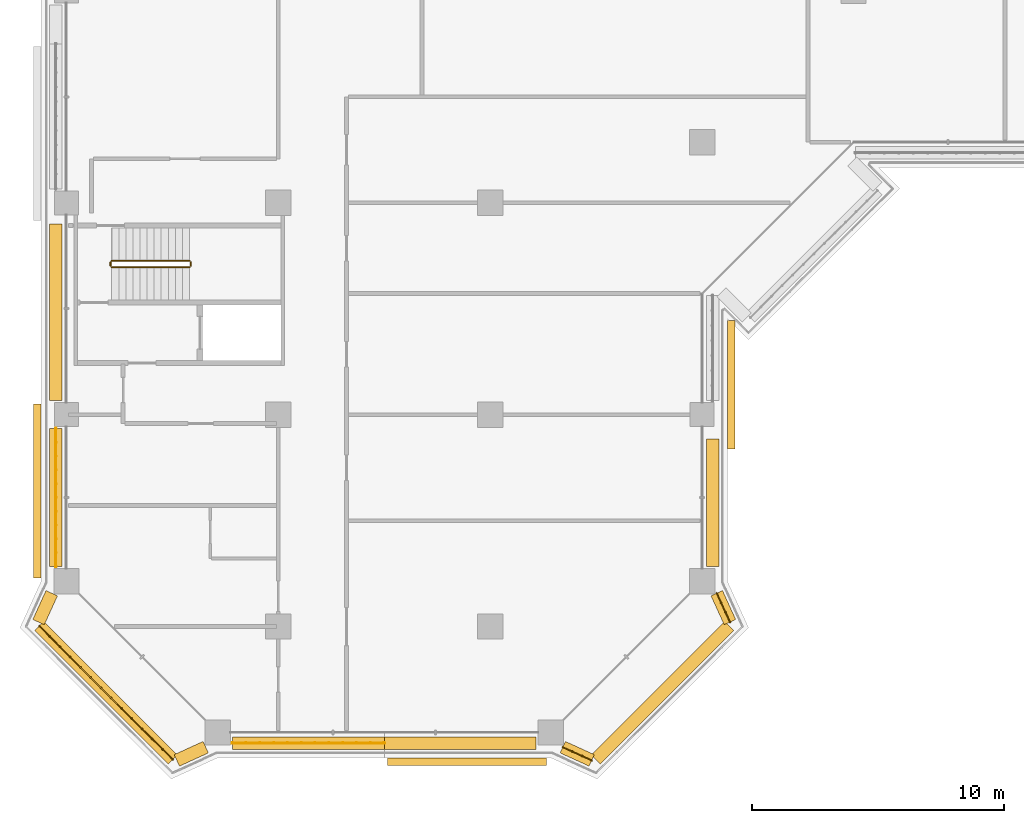
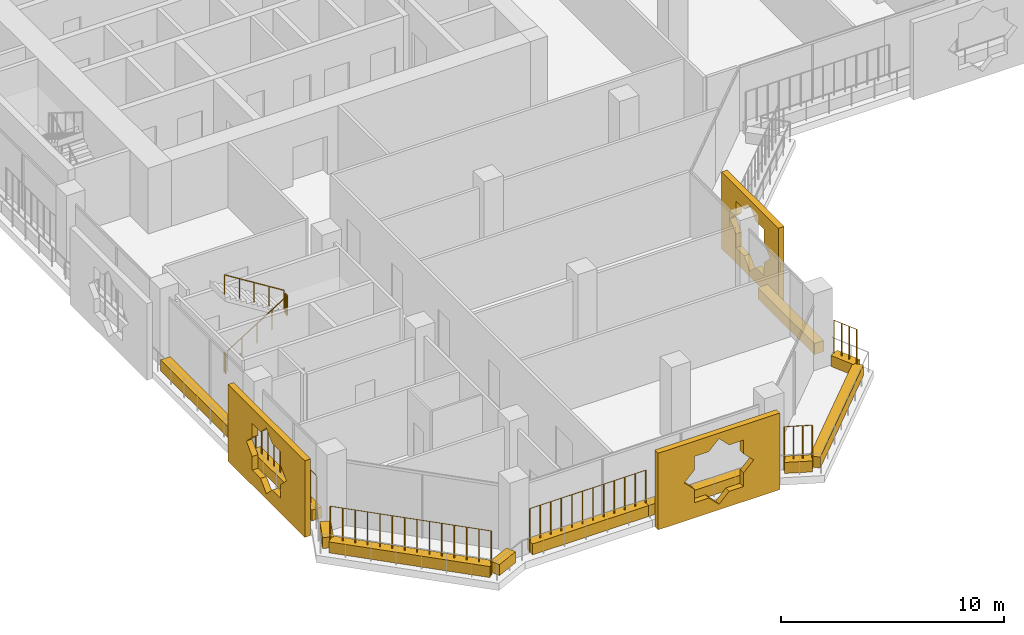
# One storey, part 15 of 21: 14 coverings, 9 railings.
"""IFC4 building model written with IfcOpenShell, lengths in metres."""

from ifc_helpers import new_model, si_unit, direction, frame, origin, origin_2d, place, context, subcontext, project, spatial, polyline, rectangle, circle, outline, extrude, material, material_profile, profile_set, type_object, element, save


model = new_model("IFC4")

# Units and contexts
model_context = context("Model", 3, precision=1e-05, world=origin(), true_north=direction((0.0, 1.0)))
body_context = subcontext(model_context, "Body", "Model", "MODEL_VIEW")
ifc_project = project(units=[si_unit("LENGTHUNIT", "METRE"), si_unit("AREAUNIT", "SQUARE_METRE"), si_unit("VOLUMEUNIT", "CUBIC_METRE"), si_unit("PLANEANGLEUNIT", "RADIAN"), si_unit("MASSUNIT", "GRAM", prefix="KILO")], contexts=[model_context])

# Site, building, storey
site_placement = place(None, origin())
site = spatial("IfcSite", under=ifc_project, at=site_placement, CompositionType="ELEMENT")
building_placement = place(site_placement, origin())
building = spatial("IfcBuilding", under=site, at=building_placement, Name="Kawkab Arch Medical Tower", CompositionType="ELEMENT")
storey_placement = place(building_placement, frame((0.0, 0.0, 200.39990234375)))
storey = spatial("IfcBuildingStorey", under=building, at=storey_placement, Name="L46", CompositionType="ELEMENT", Elevation=200.39990234375)

# Coverings
ifc_material_1 = material(Name="Bronze anodised aluminium mashrabiya panel, eight-point star pattern", Category="aluminium")
ifc_material_profile_1 = material_profile(ifc_material_1, outline(polyline([(-2.550048828125, -2.10009765625), (2.550048828125, -2.10009765625), (2.550048828125, 2.10009765625), (-2.550048828125, 2.10009765625), (-2.550048828125, -2.10009765625)]), holes=[polyline([(1.800048828125, 0.0), (1.272705078125, 0.527099609375), (1.272705078125, 1.272705078125), (0.527099609375, 1.272705078125), (0.0, 1.800048828125), (-0.527099609375, 1.272705078125), (-1.272705078125, 1.272705078125), (-1.272705078125, 0.527099609375), (-1.800048828125, 0.0), (-1.272705078125, -0.527099609375), (-1.272705078125, -1.272705078125), (-0.527099609375, -1.272705078125), (0.0, -1.800048828125), (0.527099609375, -1.272705078125), (1.272705078125, -1.272705078125), (1.272705078125, -0.527099609375), (1.800048828125, 0.0)])]), Name="Mashrabiya panel 5100x4200")
ifc_profile_set_1 = profile_set([ifc_material_profile_1], Name="Bronze anodised aluminium mashrabiya panel, eight-point star pattern")
covering_type_1 = type_object("IfcCoveringType", Name="Mashrabiya panel 5100 x 4200", PredefinedType="USERDEFINED", material=ifc_profile_set_1)
covering_1_placement = place(storey_placement, frame((26.199951171875, -40.807373046875, 1.7001953125), z_axis=(1.0, 0.0, 0.0), x_axis=(0.0, 1.0, 0.0)))
element("IfcCovering", 1, at=covering_1_placement, inside=storey, type_object=covering_type_1, Name="Mashrabiya panel L46.LOG-01-01.12", ObjectType="SCREEN", PredefinedType="USERDEFINED", context=body_context, shape_type="SweptSolid", body=[
    extrude(outline(polyline([(-2.550048828125, -2.10009765625), (2.550048828125, -2.10009765625), (2.550048828125, 2.10009765625), (-2.550048828125, 2.10009765625), (-2.550048828125, -2.10009765625)]), holes=[polyline([(1.800048828125, 0.0), (1.272705078125, 0.527099609375), (1.272705078125, 1.272705078125), (0.527099609375, 1.272705078125), (0.0, 1.800048828125), (-0.527099609375, 1.272705078125), (-1.272705078125, 1.272705078125), (-1.272705078125, 0.527099609375), (-1.800048828125, 0.0), (-1.272705078125, -0.527099609375), (-1.272705078125, -1.272705078125), (-0.527099609375, -1.272705078125), (0.0, -1.800048828125), (0.527099609375, -1.272705078125), (1.272705078125, -1.272705078125), (1.272705078125, -0.527099609375), (1.800048828125, 0.0)])]), origin(), (0.0, 0.0, 1.0), 0.300048828125),
])
ifc_material_2 = material(Name="Bronze anodised aluminium mashrabiya panel, eight-point star pattern", Category="aluminium")
ifc_material_profile_2 = material_profile(ifc_material_2, outline(polyline([(-3.14990234375, -2.10009765625), (3.14990234375, -2.10009765625), (3.14990234375, 2.10009765625), (-3.14990234375, 2.10009765625), (-3.14990234375, -2.10009765625)]), holes=[polyline([(1.800048828125, 0.0), (1.272705078125, 0.527099609375), (1.272705078125, 1.272705078125), (0.527099609375, 1.272705078125), (0.0, 1.800048828125), (-0.527099609375, 1.272705078125), (-1.272705078125, 1.272705078125), (-1.272705078125, 0.527099609375), (-1.800048828125, 0.0), (-1.272705078125, -0.527099609375), (-1.272705078125, -1.272705078125), (-0.527099609375, -1.272705078125), (0.0, -1.800048828125), (0.527099609375, -1.272705078125), (1.272705078125, -1.272705078125), (1.272705078125, -0.527099609375), (1.800048828125, 0.0)])]), Name="Mashrabiya panel 6300x4200")
ifc_profile_set_2 = profile_set([ifc_material_profile_2], Name="Bronze anodised aluminium mashrabiya panel, eight-point star pattern")
covering_type_2 = type_object("IfcCoveringType", Name="Mashrabiya panel 6300 x 4200", PredefinedType="USERDEFINED", material=ifc_profile_set_2)
covering_2_placement = place(storey_placement, frame((15.881103515625, -55.60009765625, 1.7001953125), z_axis=(0.0, -1.0, 0.0), x_axis=(1.0, 0.0, 0.0)))
element("IfcCovering", 2, at=covering_2_placement, inside=storey, type_object=covering_type_2, Name="Mashrabiya panel L46.LOG-01-01.1", ObjectType="SCREEN", PredefinedType="USERDEFINED", context=body_context, shape_type="SweptSolid", body=[
    extrude(outline(polyline([(-3.14990234375, -2.10009765625), (3.14990234375, -2.10009765625), (3.14990234375, 2.10009765625), (-3.14990234375, 2.10009765625), (-3.14990234375, -2.10009765625)]), holes=[polyline([(1.800048828125, 0.0), (1.272705078125, 0.527099609375), (1.272705078125, 1.272705078125), (0.527099609375, 1.272705078125), (0.0, 1.800048828125), (-0.527099609375, 1.272705078125), (-1.272705078125, 1.272705078125), (-1.272705078125, 0.527099609375), (-1.800048828125, 0.0), (-1.272705078125, -0.527099609375), (-1.272705078125, -1.272705078125), (-0.527099609375, -1.272705078125), (0.0, -1.800048828125), (0.527099609375, -1.272705078125), (1.272705078125, -1.272705078125), (1.272705078125, -0.527099609375), (1.800048828125, 0.0)])]), origin(), (0.0, 0.0, 1.0), 0.2998046875),
])
ifc_material_3 = material(Name="Bronze anodised aluminium mashrabiya panel, eight-point star pattern", Category="aluminium")
ifc_material_profile_3 = material_profile(ifc_material_3, outline(polyline([(-3.449951171875, -2.10009765625), (3.449951171875, -2.10009765625), (3.449951171875, 2.10009765625), (-3.449951171875, 2.10009765625), (-3.449951171875, -2.10009765625)]), holes=[polyline([(1.800048828125, 0.0), (1.272705078125, 0.527099609375), (1.272705078125, 1.272705078125), (0.527099609375, 1.272705078125), (0.0, 1.800048828125), (-0.527099609375, 1.272705078125), (-1.272705078125, 1.272705078125), (-1.272705078125, 0.527099609375), (-1.800048828125, 0.0), (-1.272705078125, -0.527099609375), (-1.272705078125, -1.272705078125), (-0.527099609375, -1.272705078125), (0.0, -1.800048828125), (0.527099609375, -1.272705078125), (1.272705078125, -1.272705078125), (1.272705078125, -0.527099609375), (1.800048828125, 0.0)])]), Name="Mashrabiya panel 6900x4200")
ifc_profile_set_3 = profile_set([ifc_material_profile_3], Name="Bronze anodised aluminium mashrabiya panel, eight-point star pattern")
covering_type_3 = type_object("IfcCoveringType", Name="Mashrabiya panel 6900 x 4200", PredefinedType="USERDEFINED", material=ifc_profile_set_3)
covering_3_placement = place(storey_placement, frame((-1.0, -45.03173828125, 1.7001953125), z_axis=(-1.0, 0.0, 0.0), x_axis=(0.0, -1.0, 0.0)))
element("IfcCovering", 3, at=covering_3_placement, inside=storey, type_object=covering_type_3, Name="Mashrabiya panel L46.LOG-01-01.2", ObjectType="SCREEN", PredefinedType="USERDEFINED", context=body_context, shape_type="SweptSolid", body=[
    extrude(outline(polyline([(-3.449951171875, -2.10009765625), (3.449951171875, -2.10009765625), (3.449951171875, 2.10009765625), (-3.449951171875, 2.10009765625), (-3.449951171875, -2.10009765625)]), holes=[polyline([(1.800048828125, 0.0), (1.272705078125, 0.527099609375), (1.272705078125, 1.272705078125), (0.527099609375, 1.272705078125), (0.0, 1.800048828125), (-0.527099609375, 1.272705078125), (-1.272705078125, 1.272705078125), (-1.272705078125, 0.527099609375), (-1.800048828125, 0.0), (-1.272705078125, -0.527099609375), (-1.272705078125, -1.272705078125), (-0.527099609375, -1.272705078125), (0.0, -1.800048828125), (0.527099609375, -1.272705078125), (1.272705078125, -1.272705078125), (1.272705078125, -0.527099609375), (1.800048828125, 0.0)])]), origin(), (0.0, 0.0, 1.0), 0.300048828125),
])
ifc_material_4 = material(Name="Planting soil in a precast trough", Category="concrete")
ifc_material_profile_4 = material_profile(ifc_material_4, rectangle(XDim=0.5, YDim=0.60009765625, at=origin_2d()), Name="Trough 500x600")
ifc_profile_set_4 = profile_set([ifc_material_profile_4], Name="Planting soil in a precast trough")
covering_type_4 = type_object("IfcCoveringType", Name="Planter trough 500 x 600", PredefinedType="USERDEFINED", material=ifc_profile_set_4)
covering_4_placement = place(storey_placement, frame((20.821044921875, -55.701904296875, 0.300048828125), z_axis=(-0.909780461959, 0.415089762627, 0.0), x_axis=(-0.415089762627, -0.909780461959, 0.0)))
element("IfcCovering", 4, at=covering_4_placement, inside=storey, type_object=covering_type_4, Name="Planter L46.LOG-01-01.1", ObjectType="PLANTER", PredefinedType="USERDEFINED", context=body_context, shape_type="SweptSolid", body=[
    extrude(rectangle(XDim=0.5, YDim=0.60009765625, at=origin_2d()), origin(), (0.0, 0.0, 1.0), 1.257568359375),
])
for number, where, z_axis, x_axis, name in (
    (5, (18.6201171875, -55.02001953125, 0.300048828125), (-1.0, 0.0, 0.0), (0.0, -1.0, 0.0), "Planter L46.LOG-01-01.2"),
    (6, (12.60009765625, -55.02001953125, 0.300048828125), (-1.0, 0.0, 0.0), (0.0, -1.0, 0.0), "Planter L46.LOG-01-01.3"),
):
    element("IfcCovering", number, at=place(storey_placement, frame(where, z_axis=z_axis, x_axis=x_axis)), inside=storey, type_object=covering_type_4, Name=name, ObjectType="PLANTER", PredefinedType="USERDEFINED", context=body_context, shape_type="SweptSolid", body=[
        extrude(rectangle(XDim=0.5, YDim=0.60009765625, at=origin_2d()), origin(), (0.0, 0.0, 1.0), 6.02001953125),
    ])
covering_5_placement = place(storey_placement, frame((5.52294921875, -55.179931640625, 0.300048828125), z_axis=(-0.909780461959, -0.415089762627, 0.0), x_axis=(0.415089762627, -0.909780461959, 0.0)))
element("IfcCovering", 7, at=covering_5_placement, inside=storey, type_object=covering_type_4, Name="Planter L46.LOG-01-01.4", ObjectType="PLANTER", PredefinedType="USERDEFINED", context=body_context, shape_type="SweptSolid", body=[
    extrude(rectangle(XDim=0.5, YDim=0.60009765625, at=origin_2d()), origin(), (0.0, 0.0, 1.0), 1.257568359375),
])
covering_6_placement = place(storey_placement, frame((4.217041015625, -55.673095703125, 0.300048828125), z_axis=(-0.707106781187, 0.707106781187, 0.0), x_axis=(-0.707106781187, -0.707106781187, 0.0)))
element("IfcCovering", 8, at=covering_6_placement, inside=storey, type_object=covering_type_4, Name="Planter L46.LOG-01-01.5", ObjectType="PLANTER", PredefinedType="USERDEFINED", context=body_context, shape_type="SweptSolid", body=[
    extrude(rectangle(XDim=0.5, YDim=0.60009765625, at=origin_2d()), origin(), (0.0, 0.0, 1.0), 7.481201171875),
])
covering_7_placement = place(storey_placement, frame((-1.10205078125, -50.220947265625, 0.300048828125), z_axis=(0.415089762627, 0.909780461959, 0.0), x_axis=(-0.909780461959, 0.415089762627, 0.0)))
element("IfcCovering", 9, at=covering_7_placement, inside=storey, type_object=covering_type_4, Name="Planter L46.LOG-01-01.6", ObjectType="PLANTER", PredefinedType="USERDEFINED", context=body_context, shape_type="SweptSolid", body=[
    extrude(rectangle(XDim=0.5, YDim=0.60009765625, at=origin_2d()), origin(), (0.0, 0.0, 1.0), 1.257568359375),
])
covering_8_placement = place(storey_placement, frame((-0.419921875, -48.02001953125, 0.300048828125), z_axis=(0.0, 1.0, 0.0), x_axis=(-1.0, 0.0, 0.0)))
element("IfcCovering", 10, at=covering_8_placement, inside=storey, type_object=covering_type_4, Name="Planter L46.LOG-01-01.7", ObjectType="PLANTER", PredefinedType="USERDEFINED", context=body_context, shape_type="SweptSolid", body=[
    extrude(rectangle(XDim=0.5, YDim=0.60009765625, at=origin_2d()), origin(), (0.0, 0.0, 1.0), 5.465087890625),
])
covering_9_placement = place(storey_placement, frame((-0.419921875, -41.445068359375, 0.300048828125), z_axis=(0.0, 1.0, 0.0), x_axis=(-1.0, 0.0, 0.0)))
element("IfcCovering", 11, at=covering_9_placement, inside=storey, type_object=covering_type_4, Name="Planter L46.LOG-01-01.8", ObjectType="PLANTER", PredefinedType="USERDEFINED", context=body_context, shape_type="SweptSolid", body=[
    extrude(rectangle(XDim=0.5, YDim=0.60009765625, at=origin_2d()), origin(), (0.0, 0.0, 1.0), 7.003173828125),
])
covering_10_placement = place(storey_placement, frame((25.6201171875, -42.955078125, 0.300048828125), z_axis=(0.0, -1.0, 0.0), x_axis=(1.0, 0.0, 0.0)))
element("IfcCovering", 12, at=covering_10_placement, inside=storey, type_object=covering_type_4, Name="Planter L46.LOG-01-01.42", ObjectType="PLANTER", PredefinedType="USERDEFINED", context=body_context, shape_type="SweptSolid", body=[
    extrude(rectangle(XDim=0.5, YDim=0.60009765625, at=origin_2d()), origin(), (0.0, 0.0, 1.0), 5.06494140625),
])
covering_11_placement = place(storey_placement, frame((25.780029296875, -49.076904296875, 0.300048828125), z_axis=(0.415089762627, -0.909780461959, 0.0), x_axis=(0.909780461959, 0.415089762627, 0.0)))
element("IfcCovering", 13, at=covering_11_placement, inside=storey, type_object=covering_type_4, Name="Planter L46.LOG-01-01.43", ObjectType="PLANTER", PredefinedType="USERDEFINED", context=body_context, shape_type="SweptSolid", body=[
    extrude(rectangle(XDim=0.5, YDim=0.60009765625, at=origin_2d()), origin(), (0.0, 0.0, 1.0), 1.257568359375),
])
covering_12_placement = place(storey_placement, frame((26.27294921875, -50.383056640625, 0.300048828125), z_axis=(-0.707106781187, -0.707106781187, 0.0), x_axis=(0.707106781187, -0.707106781187, 0.0)))
element("IfcCovering", 14, at=covering_12_placement, inside=storey, type_object=covering_type_4, Name="Planter L46.LOG-01-01.44", ObjectType="PLANTER", PredefinedType="USERDEFINED", context=body_context, shape_type="SweptSolid", body=[
    extrude(rectangle(XDim=0.5, YDim=0.60009765625, at=origin_2d()), origin(), (0.0, 0.0, 1.0), 7.481201171875),
])

# Railings
ifc_material_5 = material(Name="Bronze anodised aluminium trellis for climbing plants", Category="aluminium")
railing_type_1 = type_object("IfcRailingType", Name="Planting trellis 2400", PredefinedType="USERDEFINED", material=ifc_material_5)
railing_1_placement = place(storey_placement, frame((20.821044921875, -55.701904296875, 0.0)))
element("IfcRailing", 15, at=railing_1_placement, inside=storey, type_object=railing_type_1, Name="Planting trellis L46.LOG-01-01.1", ObjectType="TRELLIS", PredefinedType="USERDEFINED", context=body_context, shape_type="SweptSolid", body=[
    extrude(circle(Radius=0.01513671875, at=origin_2d()), frame((0.0, 0.0, 2.384765625), z_axis=(-0.909780461959, 0.415089762627, 0.0), x_axis=(-0.415089762627, -0.909780461959, 0.0)), (0.0, 0.0, 1.0), 1.257568359375),
    extrude(circle(Radius=0.030029296875, at=origin_2d()), origin(), (0.0, 0.0, 1.0), 2.369873046875),
    extrude(circle(Radius=0.030029296875, at=origin_2d()), frame((-0.38134765625, 0.174072265625, 0.0)), (0.0, 0.0, 1.0), 2.369873046875),
    extrude(circle(Radius=0.030029296875, at=origin_2d()), frame((-0.7626953125, 0.347900390625, 0.0)), (0.0, 0.0, 1.0), 2.369873046875),
    extrude(circle(Radius=0.030029296875, at=origin_2d()), frame((-1.14404296875, 0.52197265625, 0.0)), (0.0, 0.0, 1.0), 2.369873046875),
])
railing_2_placement = place(storey_placement, frame((12.60009765625, -55.02001953125, 0.0)))
element("IfcRailing", 16, at=railing_2_placement, inside=storey, type_object=railing_type_1, Name="Planting trellis L46.LOG-01-01.3", ObjectType="TRELLIS", PredefinedType="USERDEFINED", context=body_context, shape_type="SweptSolid", body=[
    extrude(circle(Radius=0.01513671875, at=origin_2d()), frame((0.0, 0.0, 2.384765625), z_axis=(-1.0, 0.0, 0.0), x_axis=(0.0, -1.0, 0.0)), (0.0, 0.0, 1.0), 6.02001953125),
    extrude(circle(Radius=0.030029296875, at=origin_2d()), origin(), (0.0, 0.0, 1.0), 2.369873046875),
    extrude(circle(Radius=0.030029296875, at=origin_2d()), frame((-0.54736328125, 0.0, 0.0)), (0.0, 0.0, 1.0), 2.369873046875),
    extrude(circle(Radius=0.030029296875, at=origin_2d()), frame((-1.094482421875, 0.0, 0.0)), (0.0, 0.0, 1.0), 2.369873046875),
    extrude(circle(Radius=0.030029296875, at=origin_2d()), frame((-1.641845703125, 0.0, 0.0)), (0.0, 0.0, 1.0), 2.369873046875),
    extrude(circle(Radius=0.030029296875, at=origin_2d()), frame((-2.189208984375, 0.0, 0.0)), (0.0, 0.0, 1.0), 2.369873046875),
    extrude(circle(Radius=0.030029296875, at=origin_2d()), frame((-2.736328125, 0.0, 0.0)), (0.0, 0.0, 1.0), 2.369873046875),
    extrude(circle(Radius=0.030029296875, at=origin_2d()), frame((-3.28369140625, 0.0, 0.0)), (0.0, 0.0, 1.0), 2.369873046875),
    extrude(circle(Radius=0.030029296875, at=origin_2d()), frame((-3.830810546875, 0.0, 0.0)), (0.0, 0.0, 1.0), 2.369873046875),
    extrude(circle(Radius=0.030029296875, at=origin_2d()), frame((-4.378173828125, 0.0, 0.0)), (0.0, 0.0, 1.0), 2.369873046875),
    extrude(circle(Radius=0.030029296875, at=origin_2d()), frame((-4.925537109375, 0.0, 0.0)), (0.0, 0.0, 1.0), 2.369873046875),
    extrude(circle(Radius=0.030029296875, at=origin_2d()), frame((-5.47265625, 0.0, 0.0)), (0.0, 0.0, 1.0), 2.369873046875),
    extrude(circle(Radius=0.030029296875, at=origin_2d()), frame((-6.02001953125, 0.0, 0.0)), (0.0, 0.0, 1.0), 2.369873046875),
])
railing_3_placement = place(storey_placement, frame((4.217041015625, -55.673095703125, 0.0)))
element("IfcRailing", 17, at=railing_3_placement, inside=storey, type_object=railing_type_1, Name="Planting trellis L46.LOG-01-01.5", ObjectType="TRELLIS", PredefinedType="USERDEFINED", context=body_context, shape_type="SweptSolid", body=[
    extrude(circle(Radius=0.01513671875, at=origin_2d()), frame((0.0, 0.0, 2.384765625), z_axis=(-0.707106781187, 0.707106781187, 0.0), x_axis=(-0.707106781187, -0.707106781187, 0.0)), (0.0, 0.0, 1.0), 7.481201171875),
    extrude(circle(Radius=0.030029296875, at=origin_2d()), origin(), (0.0, 0.0, 1.0), 2.369873046875),
    extrude(circle(Radius=0.030029296875, at=origin_2d()), frame((-0.406982421875, 0.406982421875, 0.0)), (0.0, 0.0, 1.0), 2.369873046875),
    extrude(circle(Radius=0.030029296875, at=origin_2d()), frame((-0.81396484375, 0.81396484375, 0.0)), (0.0, 0.0, 1.0), 2.369873046875),
    extrude(circle(Radius=0.030029296875, at=origin_2d()), frame((-1.220703125, 1.220703125, 0.0)), (0.0, 0.0, 1.0), 2.369873046875),
    extrude(circle(Radius=0.030029296875, at=origin_2d()), frame((-1.627685546875, 1.627685546875, 0.0)), (0.0, 0.0, 1.0), 2.369873046875),
    extrude(circle(Radius=0.030029296875, at=origin_2d()), frame((-2.03466796875, 2.03466796875, 0.0)), (0.0, 0.0, 1.0), 2.369873046875),
    extrude(circle(Radius=0.030029296875, at=origin_2d()), frame((-2.441650390625, 2.441650390625, 0.0)), (0.0, 0.0, 1.0), 2.369873046875),
    extrude(circle(Radius=0.030029296875, at=origin_2d()), frame((-2.848388671875, 2.848388671875, 0.0)), (0.0, 0.0, 1.0), 2.369873046875),
    extrude(circle(Radius=0.030029296875, at=origin_2d()), frame((-3.25537109375, 3.25537109375, 0.0)), (0.0, 0.0, 1.0), 2.369873046875),
    extrude(circle(Radius=0.030029296875, at=origin_2d()), frame((-3.662353515625, 3.662353515625, 0.0)), (0.0, 0.0, 1.0), 2.369873046875),
    extrude(circle(Radius=0.030029296875, at=origin_2d()), frame((-4.0693359375, 4.0693359375, 0.0)), (0.0, 0.0, 1.0), 2.369873046875),
    extrude(circle(Radius=0.030029296875, at=origin_2d()), frame((-4.47607421875, 4.47607421875, 0.0)), (0.0, 0.0, 1.0), 2.369873046875),
    extrude(circle(Radius=0.030029296875, at=origin_2d()), frame((-4.883056640625, 4.883056640625, 0.0)), (0.0, 0.0, 1.0), 2.369873046875),
    extrude(circle(Radius=0.030029296875, at=origin_2d()), frame((-5.2900390625, 5.2900390625, 0.0)), (0.0, 0.0, 1.0), 2.369873046875),
])
railing_4_placement = place(storey_placement, frame((-0.419921875, -48.02001953125, 0.0)))
element("IfcRailing", 18, at=railing_4_placement, inside=storey, type_object=railing_type_1, Name="Planting trellis L46.LOG-01-01.7", ObjectType="TRELLIS", PredefinedType="USERDEFINED", context=body_context, shape_type="SweptSolid", body=[
    extrude(circle(Radius=0.01513671875, at=origin_2d()), frame((0.0, 0.0, 2.384765625), z_axis=(0.0, 1.0, 0.0), x_axis=(-1.0, 0.0, 0.0)), (0.0, 0.0, 1.0), 5.465087890625),
    extrude(circle(Radius=0.030029296875, at=origin_2d()), origin(), (0.0, 0.0, 1.0), 2.369873046875),
    extrude(circle(Radius=0.030029296875, at=origin_2d()), frame((0.0, 0.54638671875, 0.0)), (0.0, 0.0, 1.0), 2.369873046875),
    extrude(circle(Radius=0.030029296875, at=origin_2d()), frame((0.0, 1.093017578125, 0.0)), (0.0, 0.0, 1.0), 2.369873046875),
    extrude(circle(Radius=0.030029296875, at=origin_2d()), frame((0.0, 1.6396484375, 0.0)), (0.0, 0.0, 1.0), 2.369873046875),
    extrude(circle(Radius=0.030029296875, at=origin_2d()), frame((0.0, 2.18603515625, 0.0)), (0.0, 0.0, 1.0), 2.369873046875),
    extrude(circle(Radius=0.030029296875, at=origin_2d()), frame((0.0, 2.732421875, 0.0)), (0.0, 0.0, 1.0), 2.369873046875),
    extrude(circle(Radius=0.030029296875, at=origin_2d()), frame((0.0, 3.279052734375, 0.0)), (0.0, 0.0, 1.0), 2.369873046875),
    extrude(circle(Radius=0.030029296875, at=origin_2d()), frame((0.0, 3.825439453125, 0.0)), (0.0, 0.0, 1.0), 2.369873046875),
    extrude(circle(Radius=0.030029296875, at=origin_2d()), frame((0.0, 4.3720703125, 0.0)), (0.0, 0.0, 1.0), 2.369873046875),
    extrude(circle(Radius=0.030029296875, at=origin_2d()), frame((0.0, 4.91845703125, 0.0)), (0.0, 0.0, 1.0), 2.369873046875),
    extrude(circle(Radius=0.030029296875, at=origin_2d()), frame((0.0, 5.465087890625, 0.0)), (0.0, 0.0, 1.0), 2.369873046875),
])
railing_5_placement = place(storey_placement, frame((25.780029296875, -49.076904296875, 0.0)))
element("IfcRailing", 19, at=railing_5_placement, inside=storey, type_object=railing_type_1, Name="Planting trellis L46.LOG-01-01.43", ObjectType="TRELLIS", PredefinedType="USERDEFINED", context=body_context, shape_type="SweptSolid", body=[
    extrude(circle(Radius=0.01513671875, at=origin_2d()), frame((0.0, 0.0, 2.384765625), z_axis=(0.415089762627, -0.909780461959, 0.0), x_axis=(0.909780461959, 0.415089762627, 0.0)), (0.0, 0.0, 1.0), 1.257568359375),
    extrude(circle(Radius=0.030029296875, at=origin_2d()), origin(), (0.0, 0.0, 1.0), 2.369873046875),
    extrude(circle(Radius=0.030029296875, at=origin_2d()), frame((0.174072265625, -0.38134765625, 0.0)), (0.0, 0.0, 1.0), 2.369873046875),
    extrude(circle(Radius=0.030029296875, at=origin_2d()), frame((0.347900390625, -0.7626953125, 0.0)), (0.0, 0.0, 1.0), 2.369873046875),
    extrude(circle(Radius=0.030029296875, at=origin_2d()), frame((0.52197265625, -1.14404296875, 0.0)), (0.0, 0.0, 1.0), 2.369873046875),
])
ifc_material_6 = material(Name="Stainless steel", Category="steel")
railing_type_2 = type_object("IfcRailingType", Name="Stair guard 1100", PredefinedType="GUARDRAIL", material=ifc_material_6)
railing_6_placement = place(storey_placement, frame((1.800048828125, -36.14990234375, 0.175048828125)))
element("IfcRailing", 20, at=railing_6_placement, inside=storey, type_object=railing_type_2, Name="L46 ST6 stair guard 1", PredefinedType="GUARDRAIL", context=body_context, shape_type="SweptSolid", body=[
    extrude(circle(Radius=0.02392578125, at=origin_2d()), frame((0.0, 0.0, 1.076171875), z_axis=(0.847979421464, 0.0, 0.530029150871), x_axis=(0.0, 1.0, 0.0)), (0.0, 0.0, 1.0), 3.632080078125),
    extrude(circle(Radius=0.02099609375, at=origin_2d()), origin(), (0.0, 0.0, 1.0), 1.052001953125),
    extrude(circle(Radius=0.02099609375, at=origin_2d()), frame((0.77001953125, 0.0, 0.481201171875)), (0.0, 0.0, 1.0), 1.052001953125),
    extrude(circle(Radius=0.02099609375, at=origin_2d()), frame((1.5400390625, 0.0, 0.96240234375)), (0.0, 0.0, 1.0), 1.052001953125),
    extrude(circle(Radius=0.02099609375, at=origin_2d()), frame((2.309814453125, 0.0, 1.44384765625)), (0.0, 0.0, 1.0), 1.052001953125),
    extrude(circle(Radius=0.02099609375, at=origin_2d()), frame((3.079833984375, 0.0, 1.925048828125)), (0.0, 0.0, 1.0), 1.052001953125),
])
railing_7_placement = place(storey_placement, frame((4.929931640625, -36.10009765625, 2.10009765625)))
element("IfcRailing", 21, at=railing_7_placement, inside=storey, type_object=railing_type_2, Name="L46 ST6 stair guard 2", PredefinedType="GUARDRAIL", context=body_context, shape_type="SweptSolid", body=[
    extrude(circle(Radius=0.02392578125, at=origin_2d()), frame((0.0, 0.0, 1.076171875), z_axis=(0.0, 1.0, 0.0), x_axis=(-1.0, 0.0, 0.0)), (0.0, 0.0, 1.0), 0.150146484375),
    extrude(circle(Radius=0.02099609375, at=origin_2d()), origin(), (0.0, 0.0, 1.0), 1.052001953125),
    extrude(circle(Radius=0.02099609375, at=origin_2d()), frame((0.0, 0.150146484375, 0.0)), (0.0, 0.0, 1.0), 1.052001953125),
])
railing_8_placement = place(storey_placement, frame((4.8798828125, -35.89990234375, 2.275146484375)))
element("IfcRailing", 22, at=railing_8_placement, inside=storey, type_object=railing_type_2, Name="L46 ST6 stair guard 3", PredefinedType="GUARDRAIL", context=body_context, shape_type="SweptSolid", body=[
    extrude(circle(Radius=0.02392578125, at=origin_2d()), frame((0.0, 0.0, 1.076171875), z_axis=(-0.847979421464, 0.0, 0.530029150871), x_axis=(0.0, -1.0, 0.0)), (0.0, 0.0, 1.0), 3.632080078125),
    extrude(circle(Radius=0.02099609375, at=origin_2d()), origin(), (0.0, 0.0, 1.0), 1.052001953125),
    extrude(circle(Radius=0.02099609375, at=origin_2d()), frame((-0.77001953125, 0.0, 0.481201171875)), (0.0, 0.0, 1.0), 1.052001953125),
    extrude(circle(Radius=0.02099609375, at=origin_2d()), frame((-1.5400390625, 0.0, 0.96240234375)), (0.0, 0.0, 1.0), 1.052001953125),
    extrude(circle(Radius=0.02099609375, at=origin_2d()), frame((-2.309814453125, 0.0, 1.44384765625)), (0.0, 0.0, 1.0), 1.052001953125),
    extrude(circle(Radius=0.02099609375, at=origin_2d()), frame((-3.079833984375, 0.0, 1.925048828125)), (0.0, 0.0, 1.0), 1.052001953125),
])
railing_9_placement = place(storey_placement, frame((1.75, -36.10009765625, 0.0)))
element("IfcRailing", 23, at=railing_9_placement, inside=storey, type_object=railing_type_2, Name="L46 ST6 stair guard 4", PredefinedType="GUARDRAIL", context=body_context, shape_type="SweptSolid", body=[
    extrude(circle(Radius=0.02392578125, at=origin_2d()), frame((0.0, 0.0, 1.076171875), z_axis=(0.0, 1.0, 0.0), x_axis=(-1.0, 0.0, 0.0)), (0.0, 0.0, 1.0), 0.150146484375),
    extrude(circle(Radius=0.02099609375, at=origin_2d()), origin(), (0.0, 0.0, 1.0), 1.052001953125),
    extrude(circle(Radius=0.02099609375, at=origin_2d()), frame((0.0, 0.150146484375, 0.0)), (0.0, 0.0, 1.0), 1.052001953125),
])

save(model, "model.ifc")
